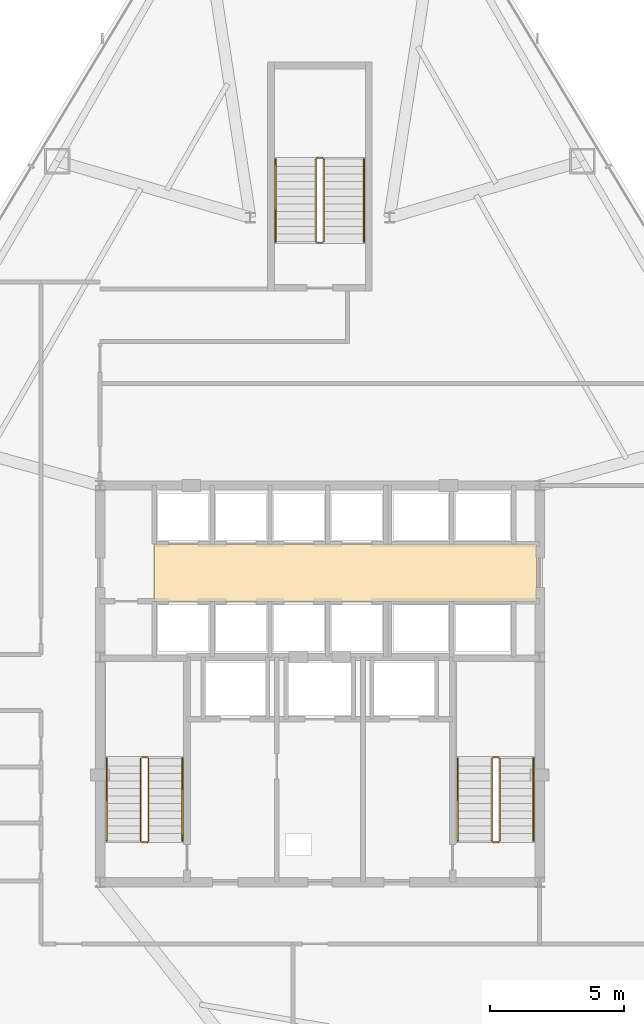
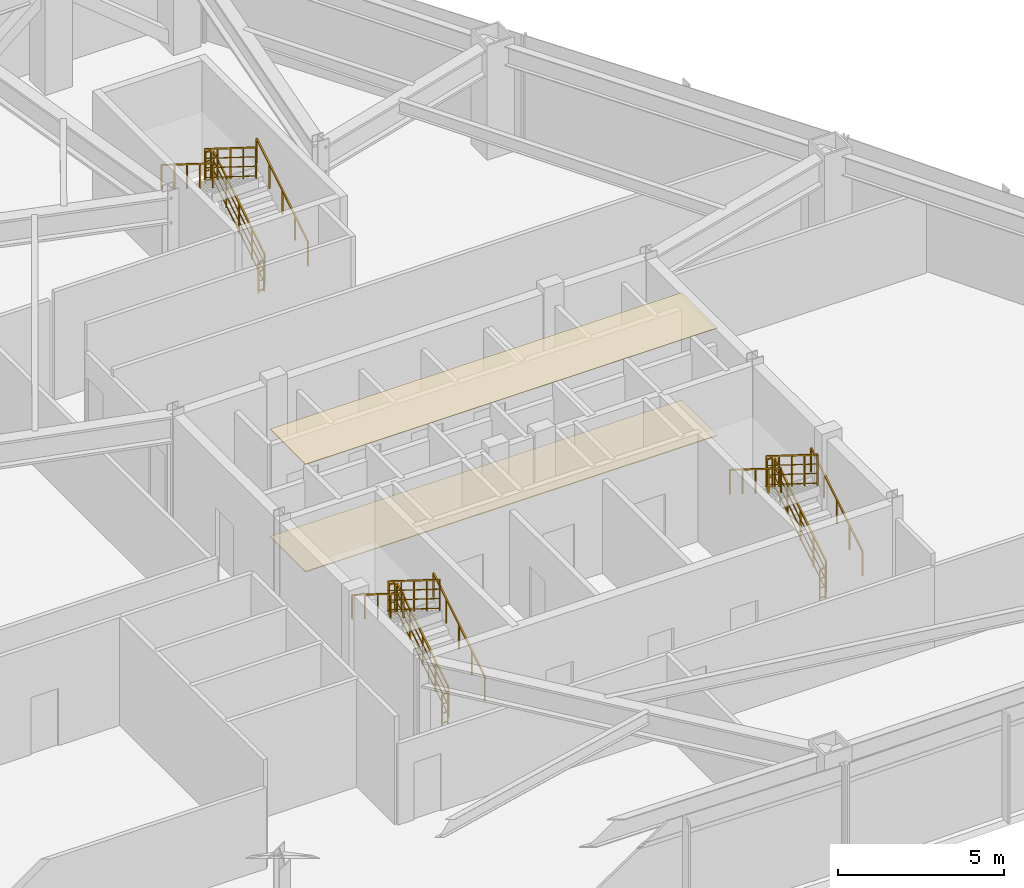
# One storey, part 13 of 13: 18 railings, 2 coverings.
"""IFC4 building model written with IfcOpenShell, lengths in metres."""

from ifc_helpers import new_model, si_unit, direction, frame, origin, origin_2d, place, context, subcontext, project, spatial, polyline, rectangle, outline, extrude, material, layer, layer_set, type_object, element, save


model = new_model("IFC4")

# Units and contexts
model_context = context("Model", 3, precision=1e-05, world=origin(), true_north=direction((0.0, 1.0)))
body_context = subcontext(model_context, "Body", "Model", "MODEL_VIEW")
ifc_project = project(units=[si_unit("LENGTHUNIT", "METRE"), si_unit("AREAUNIT", "SQUARE_METRE"), si_unit("VOLUMEUNIT", "CUBIC_METRE"), si_unit("PLANEANGLEUNIT", "RADIAN"), si_unit("MASSUNIT", "GRAM", prefix="KILO")], contexts=[model_context])

# Site, building, storey
site_placement = place(None, origin())
site = spatial("IfcSite", under=ifc_project, at=site_placement, CompositionType="ELEMENT")
building_placement = place(site_placement, origin())
building = spatial("IfcBuilding", under=site, at=building_placement, Name="Varakhsha Concourse Tower", CompositionType="ELEMENT")
storey_placement = place(building_placement, frame((0.0, 0.0, 111.800048828125)))
storey = spatial("IfcBuildingStorey", under=building, at=storey_placement, Name="L32", CompositionType="ELEMENT", Elevation=111.800048828125)

# Coverings
ifc_material_1 = material(Name="Mineral Fibre Acoustic Lay-In Ceiling Tile 20 mm", Category="mineral")
ifc_layer_1 = layer(ifc_material_1, 0.02001953125, Name="COV-CEIL-20")
ifc_layer_set_1 = layer_set([ifc_layer_1], Name="Mineral Fibre Acoustic Lay-In Ceiling Tile 20 mm")
covering_type_1 = type_object("IfcCoveringType", Name="COV-CEIL-20", PredefinedType="CEILING", material=ifc_layer_set_1)
covering_1_placement = place(storey_placement, frame((0.0, 0.0, 3.93994140625)))
element("IfcCovering", 1, at=covering_1_placement, inside=storey, type_object=covering_type_1, Name="L32 Lift Lobby Acoustic Ceiling", PredefinedType="CEILING", context=body_context, shape_type="SweptSolid", body=[
    extrude(outline(polyline([(33.820068359375, 26.8798828125), (48.10009765625, 26.8798828125), (48.10009765625, 29.02001953125), (33.820068359375, 29.02001953125), (33.820068359375, 26.8798828125)])), origin(), (0.0, 0.0, 1.0), 0.02001953125),
])
ifc_material_2 = material(Name="Polished Samarkand Aggregate Terrazzo Flooring 25 mm", Category="concrete")
ifc_layer_2 = layer(ifc_material_2, 0.02490234375, Name="COV-FLOOR-25")
ifc_layer_set_2 = layer_set([ifc_layer_2], Name="Polished Samarkand Aggregate Terrazzo Flooring 25 mm")
covering_type_2 = type_object("IfcCoveringType", Name="COV-FLOOR-25", PredefinedType="FLOORING", material=ifc_layer_set_2)
covering_2_placement = place(storey_placement, origin())
element("IfcCovering", 2, at=covering_2_placement, inside=storey, type_object=covering_type_2, Name="L32 Lift Lobby Terrazzo Flooring", PredefinedType="FLOORING", context=body_context, shape_type="SweptSolid", body=[
    extrude(outline(polyline([(33.820068359375, 26.8798828125), (48.10009765625, 26.8798828125), (48.10009765625, 29.02001953125), (33.820068359375, 29.02001953125), (33.820068359375, 26.8798828125)])), origin(), (0.0, 0.0, 1.0), 0.02490234375),
])

# Railings
ifc_material_3 = material(Name="Brushed Austenitic Stainless Steel AISI 316", Category="steel")
railing_type_1 = type_object("IfcRailingType", Name="RL-STAIR-GUARD-1100", PredefinedType="GUARDRAIL", material=ifc_material_3)
railing_1_placement = place(storey_placement, frame((33.610107421875, 17.93994140625, 0.175048828125)))
element("IfcRailing", 3, at=railing_1_placement, inside=storey, type_object=railing_type_1, Name="L32 ST1 stair guard 1", PredefinedType="GUARDRAIL", context=body_context, shape_type="SweptSolid", body=[
    extrude(rectangle(XDim=0.048095703125, YDim=0.048095703125, at=origin_2d()), frame((0.0, 0.0, 1.1259765625), z_axis=(0.0, 0.848028513186, 0.529950602248), x_axis=(-1.0, 0.0, 0.0)), (0.0, 0.0, 1.0), 3.632080078125),
    extrude(rectangle(XDim=0.028076171875, YDim=0.028076171875, at=origin_2d()), frame((0.0, 0.0, 0.080078125), z_axis=(0.0, 0.848028513186, 0.529950602248), x_axis=(-1.0, 0.0, 0.0)), (0.0, 0.0, 1.0), 3.632080078125),
    extrude(rectangle(XDim=0.028076171875, YDim=0.028076171875, at=origin_2d()), frame((0.0, 0.0, 0.43701171875), z_axis=(0.0, 0.848028513186, 0.529950602248), x_axis=(-1.0, 0.0, 0.0)), (0.0, 0.0, 1.0), 3.632080078125),
    extrude(rectangle(XDim=0.028076171875, YDim=0.028076171875, at=origin_2d()), frame((0.0, 0.0, 0.781982421875), z_axis=(0.0, 0.848028513186, 0.529950602248), x_axis=(-1.0, 0.0, 0.0)), (0.0, 0.0, 1.0), 3.632080078125),
    extrude(rectangle(XDim=0.0419921875, YDim=0.0419921875, at=origin_2d()), origin(), (0.0, 0.0, 1.0), 1.101806640625),
    extrude(rectangle(XDim=0.0419921875, YDim=0.0419921875, at=origin_2d()), frame((0.0, 0.77001953125, 0.481201171875)), (0.0, 0.0, 1.0), 1.101806640625),
    extrude(rectangle(XDim=0.0419921875, YDim=0.0419921875, at=origin_2d()), frame((0.0, 1.5400390625, 0.96240234375)), (0.0, 0.0, 1.0), 1.101806640625),
    extrude(rectangle(XDim=0.0419921875, YDim=0.0419921875, at=origin_2d()), frame((0.0, 2.31005859375, 1.443603515625)), (0.0, 0.0, 1.0), 1.101806640625),
    extrude(rectangle(XDim=0.0419921875, YDim=0.0419921875, at=origin_2d()), frame((0.0, 3.080078125, 1.9248046875)), (0.0, 0.0, 1.0), 1.101806640625),
])
railing_2_placement = place(storey_placement, frame((33.56005859375, 21.070068359375, 2.099853515625)))
element("IfcRailing", 4, at=railing_2_placement, inside=storey, type_object=railing_type_1, Name="L32 ST1 stair guard 2", PredefinedType="GUARDRAIL", context=body_context, shape_type="SweptSolid", body=[
    extrude(rectangle(XDim=0.048095703125, YDim=0.048095703125, at=origin_2d()), frame((0.0, 0.0, 1.1259765625), z_axis=(-1.0, 0.0, 0.0), x_axis=(0.0, -1.0, 0.0)), (0.0, 0.0, 1.0), 0.199951171875),
    extrude(rectangle(XDim=0.028076171875, YDim=0.028076171875, at=origin_2d()), frame((0.0, 0.0, 0.080078125), z_axis=(-1.0, 0.0, 0.0), x_axis=(0.0, -1.0, 0.0)), (0.0, 0.0, 1.0), 0.199951171875),
    extrude(rectangle(XDim=0.028076171875, YDim=0.028076171875, at=origin_2d()), frame((0.0, 0.0, 0.43701171875), z_axis=(-1.0, 0.0, 0.0), x_axis=(0.0, -1.0, 0.0)), (0.0, 0.0, 1.0), 0.199951171875),
    extrude(rectangle(XDim=0.028076171875, YDim=0.028076171875, at=origin_2d()), frame((0.0, 0.0, 0.781982421875), z_axis=(-1.0, 0.0, 0.0), x_axis=(0.0, -1.0, 0.0)), (0.0, 0.0, 1.0), 0.199951171875),
    extrude(rectangle(XDim=0.0419921875, YDim=0.0419921875, at=origin_2d()), origin(), (0.0, 0.0, 1.0), 1.101806640625),
    extrude(rectangle(XDim=0.0419921875, YDim=0.0419921875, at=origin_2d()), frame((-0.199951171875, 0.0, 0.0)), (0.0, 0.0, 1.0), 1.101806640625),
])
railing_3_placement = place(storey_placement, frame((33.31005859375, 21.02001953125, 2.27490234375)))
element("IfcRailing", 5, at=railing_3_placement, inside=storey, type_object=railing_type_1, Name="L32 ST1 stair guard 3", PredefinedType="GUARDRAIL", context=body_context, shape_type="SweptSolid", body=[
    extrude(rectangle(XDim=0.048095703125, YDim=0.048095703125, at=origin_2d()), frame((0.0, 0.0, 1.1259765625), z_axis=(0.0, -0.847998304005, 0.529998940003), x_axis=(1.0, 0.0, 0.0)), (0.0, 0.0, 1.0), 3.632080078125),
    extrude(rectangle(XDim=0.028076171875, YDim=0.028076171875, at=origin_2d()), frame((0.0, 0.0, 0.080078125), z_axis=(0.0, -0.847998304005, 0.529998940003), x_axis=(1.0, 0.0, 0.0)), (0.0, 0.0, 1.0), 3.632080078125),
    extrude(rectangle(XDim=0.028076171875, YDim=0.028076171875, at=origin_2d()), frame((0.0, 0.0, 0.43701171875), z_axis=(0.0, -0.847998304005, 0.529998940003), x_axis=(1.0, 0.0, 0.0)), (0.0, 0.0, 1.0), 3.632080078125),
    extrude(rectangle(XDim=0.028076171875, YDim=0.028076171875, at=origin_2d()), frame((0.0, 0.0, 0.781982421875), z_axis=(0.0, -0.847998304005, 0.529998940003), x_axis=(1.0, 0.0, 0.0)), (0.0, 0.0, 1.0), 3.632080078125),
    extrude(rectangle(XDim=0.0419921875, YDim=0.0419921875, at=origin_2d()), origin(), (0.0, 0.0, 1.0), 1.101806640625),
    extrude(rectangle(XDim=0.0419921875, YDim=0.0419921875, at=origin_2d()), frame((0.0, -0.77001953125, 0.481201171875)), (0.0, 0.0, 1.0), 1.101806640625),
    extrude(rectangle(XDim=0.0419921875, YDim=0.0419921875, at=origin_2d()), frame((0.0, -1.5400390625, 0.96240234375)), (0.0, 0.0, 1.0), 1.101806640625),
    extrude(rectangle(XDim=0.0419921875, YDim=0.0419921875, at=origin_2d()), frame((0.0, -2.31005859375, 1.44384765625)), (0.0, 0.0, 1.0), 1.101806640625),
    extrude(rectangle(XDim=0.0419921875, YDim=0.0419921875, at=origin_2d()), frame((0.0, -3.080078125, 1.925048828125)), (0.0, 0.0, 1.0), 1.101806640625),
])
railing_4_placement = place(storey_placement, frame((33.56005859375, 17.889892578125, 0.0)))
element("IfcRailing", 6, at=railing_4_placement, inside=storey, type_object=railing_type_1, Name="L32 ST1 stair guard 4", PredefinedType="GUARDRAIL", context=body_context, shape_type="SweptSolid", body=[
    extrude(rectangle(XDim=0.048095703125, YDim=0.048095703125, at=origin_2d()), frame((0.0, 0.0, 1.1259765625), z_axis=(-1.0, 0.0, 0.0), x_axis=(0.0, -1.0, 0.0)), (0.0, 0.0, 1.0), 0.199951171875),
    extrude(rectangle(XDim=0.028076171875, YDim=0.028076171875, at=origin_2d()), frame((0.0, 0.0, 0.080078125), z_axis=(-1.0, 0.0, 0.0), x_axis=(0.0, -1.0, 0.0)), (0.0, 0.0, 1.0), 0.199951171875),
    extrude(rectangle(XDim=0.028076171875, YDim=0.028076171875, at=origin_2d()), frame((0.0, 0.0, 0.43701171875), z_axis=(-1.0, 0.0, 0.0), x_axis=(0.0, -1.0, 0.0)), (0.0, 0.0, 1.0), 0.199951171875),
    extrude(rectangle(XDim=0.028076171875, YDim=0.028076171875, at=origin_2d()), frame((0.0, 0.0, 0.781982421875), z_axis=(-1.0, 0.0, 0.0), x_axis=(0.0, -1.0, 0.0)), (0.0, 0.0, 1.0), 0.199951171875),
    extrude(rectangle(XDim=0.0419921875, YDim=0.0419921875, at=origin_2d()), origin(), (0.0, 0.0, 1.0), 1.101806640625),
    extrude(rectangle(XDim=0.0419921875, YDim=0.0419921875, at=origin_2d()), frame((-0.199951171875, 0.0, 0.0)), (0.0, 0.0, 1.0), 1.101806640625),
])
railing_5_placement = place(storey_placement, frame((46.7099609375, 17.93994140625, 0.175048828125)))
element("IfcRailing", 7, at=railing_5_placement, inside=storey, type_object=railing_type_1, Name="L32 ST2 stair guard 1", PredefinedType="GUARDRAIL", context=body_context, shape_type="SweptSolid", body=[
    extrude(rectangle(XDim=0.048095703125, YDim=0.048095703125, at=origin_2d()), frame((0.0, 0.0, 1.1259765625), z_axis=(0.0, 0.848028513186, 0.529950602248), x_axis=(-1.0, 0.0, 0.0)), (0.0, 0.0, 1.0), 3.632080078125),
    extrude(rectangle(XDim=0.028076171875, YDim=0.028076171875, at=origin_2d()), frame((0.0, 0.0, 0.080078125), z_axis=(0.0, 0.848028513186, 0.529950602248), x_axis=(-1.0, 0.0, 0.0)), (0.0, 0.0, 1.0), 3.632080078125),
    extrude(rectangle(XDim=0.028076171875, YDim=0.028076171875, at=origin_2d()), frame((0.0, 0.0, 0.43701171875), z_axis=(0.0, 0.848028513186, 0.529950602248), x_axis=(-1.0, 0.0, 0.0)), (0.0, 0.0, 1.0), 3.632080078125),
    extrude(rectangle(XDim=0.028076171875, YDim=0.028076171875, at=origin_2d()), frame((0.0, 0.0, 0.781982421875), z_axis=(0.0, 0.848028513186, 0.529950602248), x_axis=(-1.0, 0.0, 0.0)), (0.0, 0.0, 1.0), 3.632080078125),
    extrude(rectangle(XDim=0.0419921875, YDim=0.0419921875, at=origin_2d()), origin(), (0.0, 0.0, 1.0), 1.101806640625),
    extrude(rectangle(XDim=0.0419921875, YDim=0.0419921875, at=origin_2d()), frame((0.0, 0.77001953125, 0.481201171875)), (0.0, 0.0, 1.0), 1.101806640625),
    extrude(rectangle(XDim=0.0419921875, YDim=0.0419921875, at=origin_2d()), frame((0.0, 1.5400390625, 0.96240234375)), (0.0, 0.0, 1.0), 1.101806640625),
    extrude(rectangle(XDim=0.0419921875, YDim=0.0419921875, at=origin_2d()), frame((0.0, 2.31005859375, 1.443603515625)), (0.0, 0.0, 1.0), 1.101806640625),
    extrude(rectangle(XDim=0.0419921875, YDim=0.0419921875, at=origin_2d()), frame((0.0, 3.080078125, 1.9248046875)), (0.0, 0.0, 1.0), 1.101806640625),
])
railing_6_placement = place(storey_placement, frame((46.659912109375, 21.070068359375, 2.099853515625)))
element("IfcRailing", 8, at=railing_6_placement, inside=storey, type_object=railing_type_1, Name="L32 ST2 stair guard 2", PredefinedType="GUARDRAIL", context=body_context, shape_type="SweptSolid", body=[
    extrude(rectangle(XDim=0.048095703125, YDim=0.048095703125, at=origin_2d()), frame((0.0, 0.0, 1.1259765625), z_axis=(-1.0, 0.0, 0.0), x_axis=(0.0, -1.0, 0.0)), (0.0, 0.0, 1.0), 0.199951171875),
    extrude(rectangle(XDim=0.028076171875, YDim=0.028076171875, at=origin_2d()), frame((0.0, 0.0, 0.080078125), z_axis=(-1.0, 0.0, 0.0), x_axis=(0.0, -1.0, 0.0)), (0.0, 0.0, 1.0), 0.199951171875),
    extrude(rectangle(XDim=0.028076171875, YDim=0.028076171875, at=origin_2d()), frame((0.0, 0.0, 0.43701171875), z_axis=(-1.0, 0.0, 0.0), x_axis=(0.0, -1.0, 0.0)), (0.0, 0.0, 1.0), 0.199951171875),
    extrude(rectangle(XDim=0.028076171875, YDim=0.028076171875, at=origin_2d()), frame((0.0, 0.0, 0.781982421875), z_axis=(-1.0, 0.0, 0.0), x_axis=(0.0, -1.0, 0.0)), (0.0, 0.0, 1.0), 0.199951171875),
    extrude(rectangle(XDim=0.0419921875, YDim=0.0419921875, at=origin_2d()), origin(), (0.0, 0.0, 1.0), 1.101806640625),
    extrude(rectangle(XDim=0.0419921875, YDim=0.0419921875, at=origin_2d()), frame((-0.199951171875, 0.0, 0.0)), (0.0, 0.0, 1.0), 1.101806640625),
])
railing_7_placement = place(storey_placement, frame((46.409912109375, 21.02001953125, 2.27490234375)))
element("IfcRailing", 9, at=railing_7_placement, inside=storey, type_object=railing_type_1, Name="L32 ST2 stair guard 3", PredefinedType="GUARDRAIL", context=body_context, shape_type="SweptSolid", body=[
    extrude(rectangle(XDim=0.048095703125, YDim=0.048095703125, at=origin_2d()), frame((0.0, 0.0, 1.1259765625), z_axis=(0.0, -0.847998304005, 0.529998940003), x_axis=(1.0, 0.0, 0.0)), (0.0, 0.0, 1.0), 3.632080078125),
    extrude(rectangle(XDim=0.028076171875, YDim=0.028076171875, at=origin_2d()), frame((0.0, 0.0, 0.080078125), z_axis=(0.0, -0.847998304005, 0.529998940003), x_axis=(1.0, 0.0, 0.0)), (0.0, 0.0, 1.0), 3.632080078125),
    extrude(rectangle(XDim=0.028076171875, YDim=0.028076171875, at=origin_2d()), frame((0.0, 0.0, 0.43701171875), z_axis=(0.0, -0.847998304005, 0.529998940003), x_axis=(1.0, 0.0, 0.0)), (0.0, 0.0, 1.0), 3.632080078125),
    extrude(rectangle(XDim=0.028076171875, YDim=0.028076171875, at=origin_2d()), frame((0.0, 0.0, 0.781982421875), z_axis=(0.0, -0.847998304005, 0.529998940003), x_axis=(1.0, 0.0, 0.0)), (0.0, 0.0, 1.0), 3.632080078125),
    extrude(rectangle(XDim=0.0419921875, YDim=0.0419921875, at=origin_2d()), origin(), (0.0, 0.0, 1.0), 1.101806640625),
    extrude(rectangle(XDim=0.0419921875, YDim=0.0419921875, at=origin_2d()), frame((0.0, -0.77001953125, 0.481201171875)), (0.0, 0.0, 1.0), 1.101806640625),
    extrude(rectangle(XDim=0.0419921875, YDim=0.0419921875, at=origin_2d()), frame((0.0, -1.5400390625, 0.96240234375)), (0.0, 0.0, 1.0), 1.101806640625),
    extrude(rectangle(XDim=0.0419921875, YDim=0.0419921875, at=origin_2d()), frame((0.0, -2.31005859375, 1.44384765625)), (0.0, 0.0, 1.0), 1.101806640625),
    extrude(rectangle(XDim=0.0419921875, YDim=0.0419921875, at=origin_2d()), frame((0.0, -3.080078125, 1.925048828125)), (0.0, 0.0, 1.0), 1.101806640625),
])
railing_8_placement = place(storey_placement, frame((46.659912109375, 17.889892578125, 0.0)))
element("IfcRailing", 10, at=railing_8_placement, inside=storey, type_object=railing_type_1, Name="L32 ST2 stair guard 4", PredefinedType="GUARDRAIL", context=body_context, shape_type="SweptSolid", body=[
    extrude(rectangle(XDim=0.048095703125, YDim=0.048095703125, at=origin_2d()), frame((0.0, 0.0, 1.1259765625), z_axis=(-1.0, 0.0, 0.0), x_axis=(0.0, -1.0, 0.0)), (0.0, 0.0, 1.0), 0.199951171875),
    extrude(rectangle(XDim=0.028076171875, YDim=0.028076171875, at=origin_2d()), frame((0.0, 0.0, 0.080078125), z_axis=(-1.0, 0.0, 0.0), x_axis=(0.0, -1.0, 0.0)), (0.0, 0.0, 1.0), 0.199951171875),
    extrude(rectangle(XDim=0.028076171875, YDim=0.028076171875, at=origin_2d()), frame((0.0, 0.0, 0.43701171875), z_axis=(-1.0, 0.0, 0.0), x_axis=(0.0, -1.0, 0.0)), (0.0, 0.0, 1.0), 0.199951171875),
    extrude(rectangle(XDim=0.028076171875, YDim=0.028076171875, at=origin_2d()), frame((0.0, 0.0, 0.781982421875), z_axis=(-1.0, 0.0, 0.0), x_axis=(0.0, -1.0, 0.0)), (0.0, 0.0, 1.0), 0.199951171875),
    extrude(rectangle(XDim=0.0419921875, YDim=0.0419921875, at=origin_2d()), origin(), (0.0, 0.0, 1.0), 1.101806640625),
    extrude(rectangle(XDim=0.0419921875, YDim=0.0419921875, at=origin_2d()), frame((-0.199951171875, 0.0, 0.0)), (0.0, 0.0, 1.0), 1.101806640625),
])
railing_9_placement = place(storey_placement, frame((40.14990234375, 40.300048828125, 0.175048828125)))
element("IfcRailing", 11, at=railing_9_placement, inside=storey, type_object=railing_type_1, Name="L32 ST5 stair guard 1", PredefinedType="GUARDRAIL", context=body_context, shape_type="SweptSolid", body=[
    extrude(rectangle(XDim=0.048095703125, YDim=0.048095703125, at=origin_2d()), frame((0.0, 0.0, 1.1259765625), z_axis=(0.0, 0.848009633417, 0.529980812513), x_axis=(-1.0, 0.0, 0.0)), (0.0, 0.0, 1.0), 3.6318359375),
    extrude(rectangle(XDim=0.028076171875, YDim=0.028076171875, at=origin_2d()), frame((0.0, 0.0, 0.080078125), z_axis=(0.0, 0.848009633417, 0.529980812513), x_axis=(-1.0, 0.0, 0.0)), (0.0, 0.0, 1.0), 3.6318359375),
    extrude(rectangle(XDim=0.028076171875, YDim=0.028076171875, at=origin_2d()), frame((0.0, 0.0, 0.43701171875), z_axis=(0.0, 0.848009633417, 0.529980812513), x_axis=(-1.0, 0.0, 0.0)), (0.0, 0.0, 1.0), 3.6318359375),
    extrude(rectangle(XDim=0.028076171875, YDim=0.028076171875, at=origin_2d()), frame((0.0, 0.0, 0.781982421875), z_axis=(0.0, 0.848009633417, 0.529980812513), x_axis=(-1.0, 0.0, 0.0)), (0.0, 0.0, 1.0), 3.6318359375),
    extrude(rectangle(XDim=0.0419921875, YDim=0.0419921875, at=origin_2d()), origin(), (0.0, 0.0, 1.0), 1.101806640625),
    extrude(rectangle(XDim=0.0419921875, YDim=0.0419921875, at=origin_2d()), frame((0.0, 0.77001953125, 0.481201171875)), (0.0, 0.0, 1.0), 1.101806640625),
    extrude(rectangle(XDim=0.0419921875, YDim=0.0419921875, at=origin_2d()), frame((0.0, 1.5400390625, 0.96240234375)), (0.0, 0.0, 1.0), 1.101806640625),
    extrude(rectangle(XDim=0.0419921875, YDim=0.0419921875, at=origin_2d()), frame((0.0, 2.309814453125, 1.443603515625)), (0.0, 0.0, 1.0), 1.101806640625),
    extrude(rectangle(XDim=0.0419921875, YDim=0.0419921875, at=origin_2d()), frame((0.0, 3.079833984375, 1.9248046875)), (0.0, 0.0, 1.0), 1.101806640625),
])
railing_10_placement = place(storey_placement, frame((40.10009765625, 43.429931640625, 2.099853515625)))
element("IfcRailing", 12, at=railing_10_placement, inside=storey, type_object=railing_type_1, Name="L32 ST5 stair guard 2", PredefinedType="GUARDRAIL", context=body_context, shape_type="SweptSolid", body=[
    extrude(rectangle(XDim=0.048095703125, YDim=0.048095703125, at=origin_2d()), frame((0.0, 0.0, 1.1259765625), z_axis=(-1.0, 0.0, 0.0), x_axis=(0.0, -1.0, 0.0)), (0.0, 0.0, 1.0), 0.2001953125),
    extrude(rectangle(XDim=0.028076171875, YDim=0.028076171875, at=origin_2d()), frame((0.0, 0.0, 0.080078125), z_axis=(-1.0, 0.0, 0.0), x_axis=(0.0, -1.0, 0.0)), (0.0, 0.0, 1.0), 0.2001953125),
    extrude(rectangle(XDim=0.028076171875, YDim=0.028076171875, at=origin_2d()), frame((0.0, 0.0, 0.43701171875), z_axis=(-1.0, 0.0, 0.0), x_axis=(0.0, -1.0, 0.0)), (0.0, 0.0, 1.0), 0.2001953125),
    extrude(rectangle(XDim=0.028076171875, YDim=0.028076171875, at=origin_2d()), frame((0.0, 0.0, 0.781982421875), z_axis=(-1.0, 0.0, 0.0), x_axis=(0.0, -1.0, 0.0)), (0.0, 0.0, 1.0), 0.2001953125),
    extrude(rectangle(XDim=0.0419921875, YDim=0.0419921875, at=origin_2d()), origin(), (0.0, 0.0, 1.0), 1.101806640625),
    extrude(rectangle(XDim=0.0419921875, YDim=0.0419921875, at=origin_2d()), frame((-0.2001953125, 0.0, 0.0)), (0.0, 0.0, 1.0), 1.101806640625),
])
railing_11_placement = place(storey_placement, frame((39.85009765625, 43.3798828125, 2.27490234375)))
element("IfcRailing", 13, at=railing_11_placement, inside=storey, type_object=railing_type_1, Name="L32 ST5 stair guard 3", PredefinedType="GUARDRAIL", context=body_context, shape_type="SweptSolid", body=[
    extrude(rectangle(XDim=0.048095703125, YDim=0.048095703125, at=origin_2d()), frame((0.0, 0.0, 1.1259765625), z_axis=(0.0, -0.847979421464, 0.530029150871), x_axis=(1.0, 0.0, 0.0)), (0.0, 0.0, 1.0), 3.632080078125),
    extrude(rectangle(XDim=0.028076171875, YDim=0.028076171875, at=origin_2d()), frame((0.0, 0.0, 0.080078125), z_axis=(0.0, -0.847979421464, 0.530029150871), x_axis=(1.0, 0.0, 0.0)), (0.0, 0.0, 1.0), 3.632080078125),
    extrude(rectangle(XDim=0.028076171875, YDim=0.028076171875, at=origin_2d()), frame((0.0, 0.0, 0.43701171875), z_axis=(0.0, -0.847979421464, 0.530029150871), x_axis=(1.0, 0.0, 0.0)), (0.0, 0.0, 1.0), 3.632080078125),
    extrude(rectangle(XDim=0.028076171875, YDim=0.028076171875, at=origin_2d()), frame((0.0, 0.0, 0.781982421875), z_axis=(0.0, -0.847979421464, 0.530029150871), x_axis=(1.0, 0.0, 0.0)), (0.0, 0.0, 1.0), 3.632080078125),
    extrude(rectangle(XDim=0.0419921875, YDim=0.0419921875, at=origin_2d()), origin(), (0.0, 0.0, 1.0), 1.101806640625),
    extrude(rectangle(XDim=0.0419921875, YDim=0.0419921875, at=origin_2d()), frame((0.0, -0.77001953125, 0.481201171875)), (0.0, 0.0, 1.0), 1.101806640625),
    extrude(rectangle(XDim=0.0419921875, YDim=0.0419921875, at=origin_2d()), frame((0.0, -1.5400390625, 0.96240234375)), (0.0, 0.0, 1.0), 1.101806640625),
    extrude(rectangle(XDim=0.0419921875, YDim=0.0419921875, at=origin_2d()), frame((0.0, -2.309814453125, 1.44384765625)), (0.0, 0.0, 1.0), 1.101806640625),
    extrude(rectangle(XDim=0.0419921875, YDim=0.0419921875, at=origin_2d()), frame((0.0, -3.079833984375, 1.925048828125)), (0.0, 0.0, 1.0), 1.101806640625),
])
railing_12_placement = place(storey_placement, frame((40.10009765625, 40.25, 0.0)))
element("IfcRailing", 14, at=railing_12_placement, inside=storey, type_object=railing_type_1, Name="L32 ST5 stair guard 4", PredefinedType="GUARDRAIL", context=body_context, shape_type="SweptSolid", body=[
    extrude(rectangle(XDim=0.048095703125, YDim=0.048095703125, at=origin_2d()), frame((0.0, 0.0, 1.1259765625), z_axis=(-1.0, 0.0, 0.0), x_axis=(0.0, -1.0, 0.0)), (0.0, 0.0, 1.0), 0.2001953125),
    extrude(rectangle(XDim=0.028076171875, YDim=0.028076171875, at=origin_2d()), frame((0.0, 0.0, 0.080078125), z_axis=(-1.0, 0.0, 0.0), x_axis=(0.0, -1.0, 0.0)), (0.0, 0.0, 1.0), 0.2001953125),
    extrude(rectangle(XDim=0.028076171875, YDim=0.028076171875, at=origin_2d()), frame((0.0, 0.0, 0.43701171875), z_axis=(-1.0, 0.0, 0.0), x_axis=(0.0, -1.0, 0.0)), (0.0, 0.0, 1.0), 0.2001953125),
    extrude(rectangle(XDim=0.028076171875, YDim=0.028076171875, at=origin_2d()), frame((0.0, 0.0, 0.781982421875), z_axis=(-1.0, 0.0, 0.0), x_axis=(0.0, -1.0, 0.0)), (0.0, 0.0, 1.0), 0.2001953125),
    extrude(rectangle(XDim=0.0419921875, YDim=0.0419921875, at=origin_2d()), origin(), (0.0, 0.0, 1.0), 1.101806640625),
    extrude(rectangle(XDim=0.0419921875, YDim=0.0419921875, at=origin_2d()), frame((-0.2001953125, 0.0, 0.0)), (0.0, 0.0, 1.0), 1.101806640625),
])
railing_type_2 = type_object("IfcRailingType", Name="RL-STAIR-RAIL-915", PredefinedType="HANDRAIL", material=ifc_material_3)
railing_13_placement = place(storey_placement, frame((34.8701171875, 17.93994140625, 0.349853515625)))
element("IfcRailing", 15, at=railing_13_placement, inside=storey, type_object=railing_type_2, Name="L32 ST1 stair handrail 1", PredefinedType="HANDRAIL", context=body_context, shape_type="SweptSolid", body=[
    extrude(rectangle(XDim=0.048095703125, YDim=0.048095703125, at=origin_2d()), frame((0.0, 0.0, 0.89111328125), z_axis=(0.0, 0.847998304005, 0.529998940003), x_axis=(-1.0, 0.0, 0.0)), (0.0, 0.0, 1.0), 3.632080078125),
    extrude(rectangle(XDim=0.0419921875, YDim=0.0419921875, at=origin_2d()), origin(), (0.0, 0.0, 1.0), 0.866943359375),
    extrude(rectangle(XDim=0.0419921875, YDim=0.0419921875, at=origin_2d()), frame((0.0, 0.77001953125, 0.481201171875)), (0.0, 0.0, 1.0), 0.866943359375),
    extrude(rectangle(XDim=0.0419921875, YDim=0.0419921875, at=origin_2d()), frame((0.0, 1.5400390625, 0.96240234375)), (0.0, 0.0, 1.0), 0.866943359375),
    extrude(rectangle(XDim=0.0419921875, YDim=0.0419921875, at=origin_2d()), frame((0.0, 2.31005859375, 1.44384765625)), (0.0, 0.0, 1.0), 0.866943359375),
    extrude(rectangle(XDim=0.0419921875, YDim=0.0419921875, at=origin_2d()), frame((0.0, 3.080078125, 1.925048828125)), (0.0, 0.0, 1.0), 0.866943359375),
])
railing_14_placement = place(storey_placement, frame((32.050048828125, 21.02001953125, 2.449951171875)))
element("IfcRailing", 16, at=railing_14_placement, inside=storey, type_object=railing_type_2, Name="L32 ST1 stair handrail 2", PredefinedType="HANDRAIL", context=body_context, shape_type="SweptSolid", body=[
    extrude(rectangle(XDim=0.048095703125, YDim=0.048095703125, at=origin_2d()), frame((0.0, 0.0, 0.89111328125), z_axis=(0.0, -0.847998304005, 0.529998940003), x_axis=(1.0, 0.0, 0.0)), (0.0, 0.0, 1.0), 3.632080078125),
    extrude(rectangle(XDim=0.0419921875, YDim=0.0419921875, at=origin_2d()), origin(), (0.0, 0.0, 1.0), 0.866943359375),
    extrude(rectangle(XDim=0.0419921875, YDim=0.0419921875, at=origin_2d()), frame((0.0, -0.77001953125, 0.481201171875)), (0.0, 0.0, 1.0), 0.866943359375),
    extrude(rectangle(XDim=0.0419921875, YDim=0.0419921875, at=origin_2d()), frame((0.0, -1.5400390625, 0.96240234375)), (0.0, 0.0, 1.0), 0.866943359375),
    extrude(rectangle(XDim=0.0419921875, YDim=0.0419921875, at=origin_2d()), frame((0.0, -2.31005859375, 1.44384765625)), (0.0, 0.0, 1.0), 0.866943359375),
    extrude(rectangle(XDim=0.0419921875, YDim=0.0419921875, at=origin_2d()), frame((0.0, -3.080078125, 1.925048828125)), (0.0, 0.0, 1.0), 0.866943359375),
])
railing_15_placement = place(storey_placement, frame((47.969970703125, 17.93994140625, 0.349853515625)))
element("IfcRailing", 17, at=railing_15_placement, inside=storey, type_object=railing_type_2, Name="L32 ST2 stair handrail 1", PredefinedType="HANDRAIL", context=body_context, shape_type="SweptSolid", body=[
    extrude(rectangle(XDim=0.048095703125, YDim=0.048095703125, at=origin_2d()), frame((0.0, 0.0, 0.89111328125), z_axis=(0.0, 0.847998304005, 0.529998940003), x_axis=(-1.0, 0.0, 0.0)), (0.0, 0.0, 1.0), 3.632080078125),
    extrude(rectangle(XDim=0.0419921875, YDim=0.0419921875, at=origin_2d()), origin(), (0.0, 0.0, 1.0), 0.866943359375),
    extrude(rectangle(XDim=0.0419921875, YDim=0.0419921875, at=origin_2d()), frame((0.0, 0.77001953125, 0.481201171875)), (0.0, 0.0, 1.0), 0.866943359375),
    extrude(rectangle(XDim=0.0419921875, YDim=0.0419921875, at=origin_2d()), frame((0.0, 1.5400390625, 0.96240234375)), (0.0, 0.0, 1.0), 0.866943359375),
    extrude(rectangle(XDim=0.0419921875, YDim=0.0419921875, at=origin_2d()), frame((0.0, 2.31005859375, 1.44384765625)), (0.0, 0.0, 1.0), 0.866943359375),
    extrude(rectangle(XDim=0.0419921875, YDim=0.0419921875, at=origin_2d()), frame((0.0, 3.080078125, 1.925048828125)), (0.0, 0.0, 1.0), 0.866943359375),
])
railing_16_placement = place(storey_placement, frame((45.14990234375, 21.02001953125, 2.449951171875)))
element("IfcRailing", 18, at=railing_16_placement, inside=storey, type_object=railing_type_2, Name="L32 ST2 stair handrail 2", PredefinedType="HANDRAIL", context=body_context, shape_type="SweptSolid", body=[
    extrude(rectangle(XDim=0.048095703125, YDim=0.048095703125, at=origin_2d()), frame((0.0, 0.0, 0.89111328125), z_axis=(0.0, -0.847998304005, 0.529998940003), x_axis=(1.0, 0.0, 0.0)), (0.0, 0.0, 1.0), 3.632080078125),
    extrude(rectangle(XDim=0.0419921875, YDim=0.0419921875, at=origin_2d()), origin(), (0.0, 0.0, 1.0), 0.866943359375),
    extrude(rectangle(XDim=0.0419921875, YDim=0.0419921875, at=origin_2d()), frame((0.0, -0.77001953125, 0.481201171875)), (0.0, 0.0, 1.0), 0.866943359375),
    extrude(rectangle(XDim=0.0419921875, YDim=0.0419921875, at=origin_2d()), frame((0.0, -1.5400390625, 0.96240234375)), (0.0, 0.0, 1.0), 0.866943359375),
    extrude(rectangle(XDim=0.0419921875, YDim=0.0419921875, at=origin_2d()), frame((0.0, -2.31005859375, 1.44384765625)), (0.0, 0.0, 1.0), 0.866943359375),
    extrude(rectangle(XDim=0.0419921875, YDim=0.0419921875, at=origin_2d()), frame((0.0, -3.080078125, 1.925048828125)), (0.0, 0.0, 1.0), 0.866943359375),
])
railing_17_placement = place(storey_placement, frame((41.64990234375, 40.300048828125, 0.349853515625)))
element("IfcRailing", 19, at=railing_17_placement, inside=storey, type_object=railing_type_2, Name="L32 ST5 stair handrail 1", PredefinedType="HANDRAIL", context=body_context, shape_type="SweptSolid", body=[
    extrude(rectangle(XDim=0.048095703125, YDim=0.048095703125, at=origin_2d()), frame((0.0, 0.0, 0.89111328125), z_axis=(0.0, 0.847979421464, 0.530029150871), x_axis=(-1.0, 0.0, 0.0)), (0.0, 0.0, 1.0), 3.632080078125),
    extrude(rectangle(XDim=0.0419921875, YDim=0.0419921875, at=origin_2d()), origin(), (0.0, 0.0, 1.0), 0.866943359375),
    extrude(rectangle(XDim=0.0419921875, YDim=0.0419921875, at=origin_2d()), frame((0.0, 0.77001953125, 0.481201171875)), (0.0, 0.0, 1.0), 0.866943359375),
    extrude(rectangle(XDim=0.0419921875, YDim=0.0419921875, at=origin_2d()), frame((0.0, 1.5400390625, 0.96240234375)), (0.0, 0.0, 1.0), 0.866943359375),
    extrude(rectangle(XDim=0.0419921875, YDim=0.0419921875, at=origin_2d()), frame((0.0, 2.309814453125, 1.44384765625)), (0.0, 0.0, 1.0), 0.866943359375),
    extrude(rectangle(XDim=0.0419921875, YDim=0.0419921875, at=origin_2d()), frame((0.0, 3.079833984375, 1.925048828125)), (0.0, 0.0, 1.0), 0.866943359375),
])
railing_18_placement = place(storey_placement, frame((38.35009765625, 43.3798828125, 2.449951171875)))
element("IfcRailing", 20, at=railing_18_placement, inside=storey, type_object=railing_type_2, Name="L32 ST5 stair handrail 2", PredefinedType="HANDRAIL", context=body_context, shape_type="SweptSolid", body=[
    extrude(rectangle(XDim=0.048095703125, YDim=0.048095703125, at=origin_2d()), frame((0.0, 0.0, 0.89111328125), z_axis=(0.0, -0.847979421464, 0.530029150871), x_axis=(1.0, 0.0, 0.0)), (0.0, 0.0, 1.0), 3.632080078125),
    extrude(rectangle(XDim=0.0419921875, YDim=0.0419921875, at=origin_2d()), origin(), (0.0, 0.0, 1.0), 0.866943359375),
    extrude(rectangle(XDim=0.0419921875, YDim=0.0419921875, at=origin_2d()), frame((0.0, -0.77001953125, 0.481201171875)), (0.0, 0.0, 1.0), 0.866943359375),
    extrude(rectangle(XDim=0.0419921875, YDim=0.0419921875, at=origin_2d()), frame((0.0, -1.5400390625, 0.96240234375)), (0.0, 0.0, 1.0), 0.866943359375),
    extrude(rectangle(XDim=0.0419921875, YDim=0.0419921875, at=origin_2d()), frame((0.0, -2.309814453125, 1.44384765625)), (0.0, 0.0, 1.0), 0.866943359375),
    extrude(rectangle(XDim=0.0419921875, YDim=0.0419921875, at=origin_2d()), frame((0.0, -3.079833984375, 1.925048828125)), (0.0, 0.0, 1.0), 0.866943359375),
])

save(model, "model.ifc")
